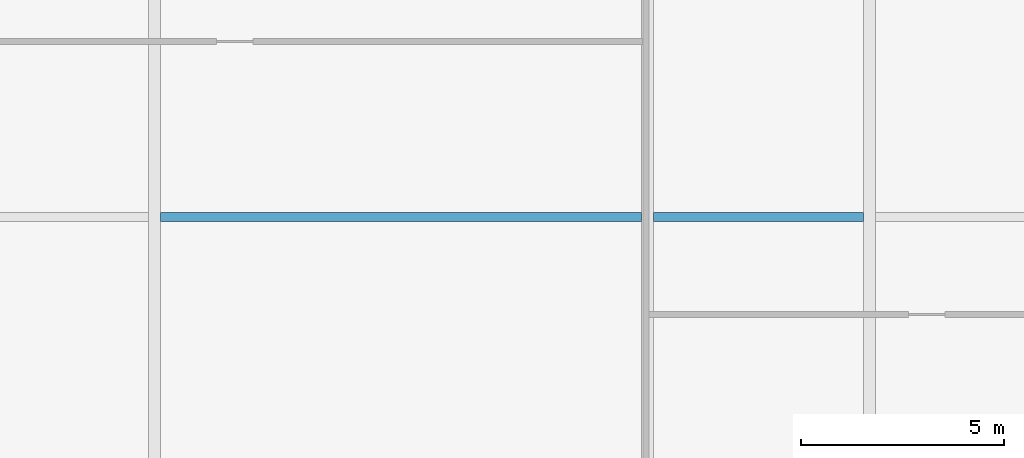
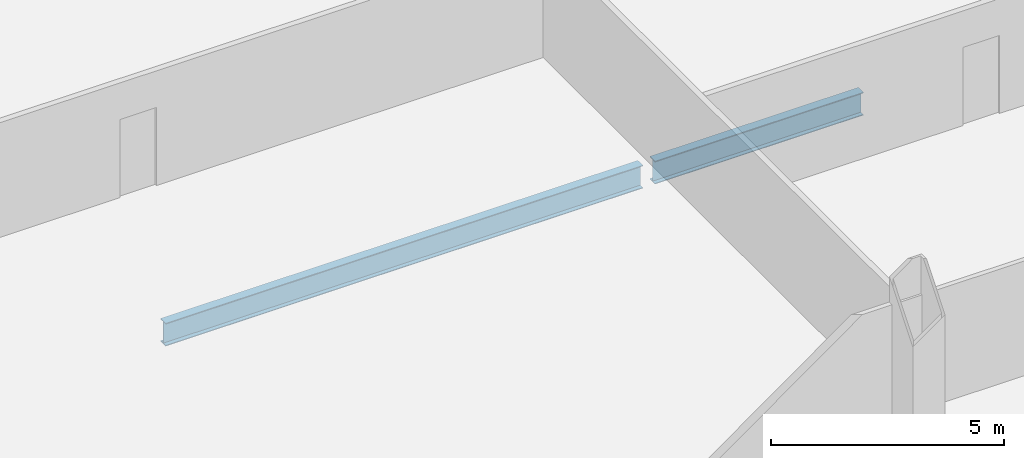
# One storey, part 13 of 32: 2 beams.
"""IFC4 building model written with IfcOpenShell, lengths in metres."""

from ifc_helpers import new_model, si_unit, direction, frame, origin, origin_2d, place, context, subcontext, project, spatial, i_section, extrude, material, material_profile, profile_set, type_object, element, save


model = new_model("IFC4")

# Units and contexts
model_context = context("Model", 3, precision=1e-05, world=origin(), true_north=direction((0.0, 1.0)))
body_context = subcontext(model_context, "Body", "Model", "MODEL_VIEW")
ifc_project = project(units=[si_unit("LENGTHUNIT", "METRE"), si_unit("AREAUNIT", "SQUARE_METRE"), si_unit("VOLUMEUNIT", "CUBIC_METRE"), si_unit("PLANEANGLEUNIT", "RADIAN"), si_unit("MASSUNIT", "GRAM", prefix="KILO")], contexts=[model_context])

# Site, building, storey
site_placement = place(None, origin())
site = spatial("IfcSite", under=ifc_project, at=site_placement, CompositionType="ELEMENT")
building_placement = place(site_placement, origin())
building = spatial("IfcBuilding", under=site, at=building_placement, Name="Khoronbel Lancet Exchange", CompositionType="ELEMENT")
storey_placement = place(building_placement, frame((0.0, 0.0, 29.800048828125)))
storey = spatial("IfcBuildingStorey", under=building, at=storey_placement, Name="L06", CompositionType="ELEMENT", Elevation=29.800048828125)

# Beams
ifc_material = material(Name="Steel S355", Category="steel")
ifc_material_profile = material_profile(ifc_material, i_section(OverallWidth=0.219970703125, OverallDepth=0.60009765625, WebThickness=0.011962890625, FlangeThickness=0.01904296875, at=origin_2d()), Name="IPE 600")
ifc_profile_set = profile_set([ifc_material_profile], Name="Steel S355")
beam_type = type_object("IfcBeamType", Name="BM-BJ1", PredefinedType="JOIST", material=ifc_profile_set)
beam_1_placement = place(storey_placement, frame((30.52490234375, 21.800048828125, -0.47998046875), z_axis=(1.0, 0.0, 0.0), x_axis=(0.0, 1.0, 0.0)))
element("IfcBeam", 1, at=beam_1_placement, inside=storey, type_object=beam_type, Name="Level L06 secondary composite joist J08", PredefinedType="JOIST", context=body_context, shape_type="SweptSolid", body=[
    extrude(i_section(OverallWidth=0.219970703125, OverallDepth=0.60009765625, WebThickness=0.011962890625, FlangeThickness=0.01904296875, at=origin_2d()), origin(), (0.0, 0.0, 1.0), 11.85009765625),
])
beam_2_placement = place(storey_placement, frame((42.675048828125, 21.800048828125, -0.47998046875), z_axis=(1.0, 0.0, 0.0), x_axis=(0.0, 1.0, 0.0)))
element("IfcBeam", 2, at=beam_2_placement, inside=storey, type_object=beam_type, Name="Level L06 secondary composite joist J09", PredefinedType="JOIST", context=body_context, shape_type="SweptSolid", body=[
    extrude(i_section(OverallWidth=0.219970703125, OverallDepth=0.60009765625, WebThickness=0.011962890625, FlangeThickness=0.01904296875, at=origin_2d()), origin(), (0.0, 0.0, 1.0), 5.175048828125),
])

save(model, "model.ifc")
